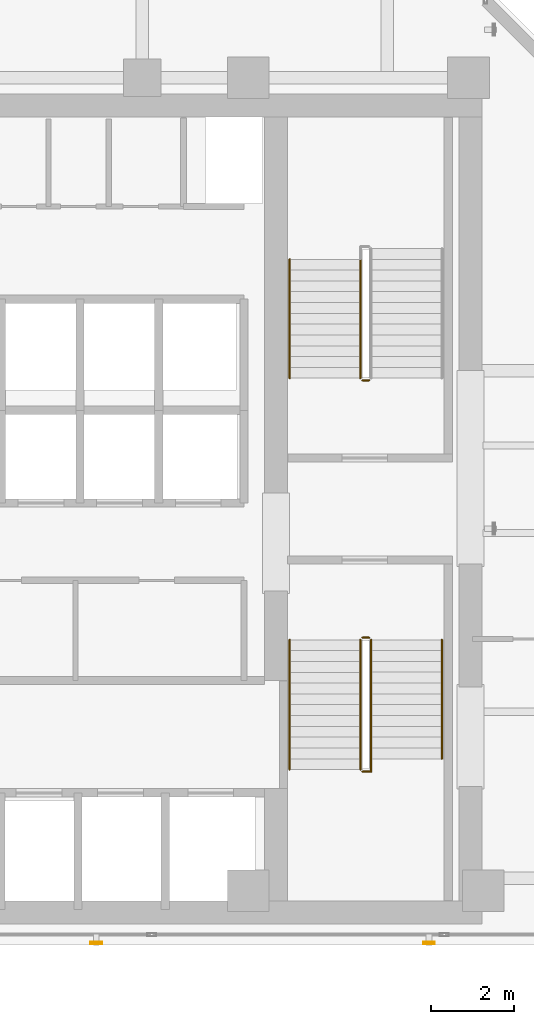
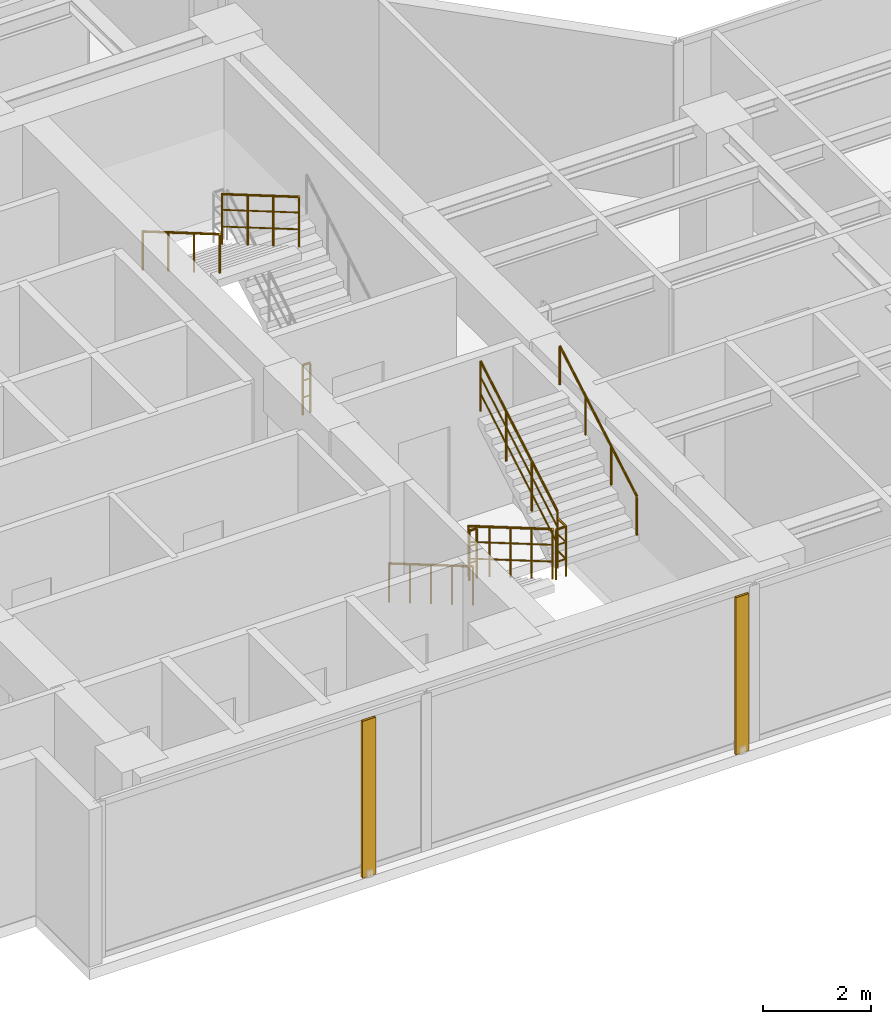
# One storey, part 21 of 25: 9 railings, 2 shading devices.
"""IFC4 building model written with IfcOpenShell, lengths in metres."""

from ifc_helpers import new_model, si_unit, direction, frame, origin, origin_2d, place, context, subcontext, project, spatial, hollow_rectangle, circle, extrude, material, material_profile, profile_set, type_object, element, save


model = new_model("IFC4")

# Units and contexts
model_context = context("Model", 3, precision=1e-05, world=origin(), true_north=direction((0.0, 1.0)))
body_context = subcontext(model_context, "Body", "Model", "MODEL_VIEW")
ifc_project = project(units=[si_unit("LENGTHUNIT", "METRE"), si_unit("AREAUNIT", "SQUARE_METRE"), si_unit("VOLUMEUNIT", "CUBIC_METRE"), si_unit("PLANEANGLEUNIT", "RADIAN"), si_unit("MASSUNIT", "GRAM", prefix="KILO")], contexts=[model_context])

# Site, building, storey
site_placement = place(None, origin())
site = spatial("IfcSite", under=ifc_project, at=site_placement, CompositionType="ELEMENT")
building_placement = place(site_placement, origin())
building = spatial("IfcBuilding", under=site, at=building_placement, Name="Kolvaren Waterfront Exchange", CompositionType="ELEMENT")
storey_placement = place(building_placement, frame((0.0, 0.0, 204.5)))
storey = spatial("IfcBuildingStorey", under=building, at=storey_placement, Name="L52", CompositionType="ELEMENT", Elevation=204.5)

# Shading devices
ifc_material_1 = material(Name="Anodised bronze aluminium 6063-T6", Category="aluminium")
ifc_material_profile = material_profile(ifc_material_1, hollow_rectangle(XDim=0.054931640625, YDim=0.280029296875, WallThickness=0.00439453125, at=origin_2d()), Name="BRZ-FIN-280x55x4.5")
ifc_profile_set = profile_set([ifc_material_profile], Name="Anodised bronze aluminium 6063-T6")
shading_device_type = type_object("IfcShadingDeviceType", Name="ARC-FIN-280", PredefinedType="USERDEFINED", material=ifc_profile_set)
for number, where, z_axis, x_axis, name in (
    (1, (11.800048828125, 3.639892578125, 0.0), (0.0, 0.0, 1.0), (0.0, -1.0, 0.0), "L52 anodised bronze solar shading fin FIN-L52-S1"),
    (2, (19.800048828125, 3.639892578125, 0.0), (0.0, 0.0, 1.0), (0.0, -1.0, 0.0), "L52 anodised bronze solar shading fin FIN-L52-S2"),
):
    element("IfcShadingDevice", number, at=place(storey_placement, frame(where, z_axis=z_axis, x_axis=x_axis)), inside=storey, type_object=shading_device_type, Name=name, ObjectType="SOLAR FIN", PredefinedType="USERDEFINED", context=body_context, shape_type="SweptSolid", body=[
        extrude(hollow_rectangle(XDim=0.054931640625, YDim=0.280029296875, WallThickness=0.00439453125, at=origin_2d()), origin(), (0.0, 0.0, 1.0), 3.56005859375),
    ])

# Railings
ifc_material_2 = material(Name="Stainless steel 316", Category="steel")
railing_type_1 = type_object("IfcRailingType", Name="ARC-GUARD-STAIR", PredefinedType="GUARDRAIL", material=ifc_material_2)
railing_1_placement = place(storey_placement, frame((18.14990234375, 10.929931640625, 0.152099609375)))
element("IfcRailing", 3, at=railing_1_placement, inside=storey, type_object=railing_type_1, Name="L52 ST1 stair guard 1", PredefinedType="GUARDRAIL", context=body_context, shape_type="SweptSolid", body=[
    extrude(circle(Radius=0.02392578125, at=origin_2d()), frame((0.0, 0.0, 1.1259765625), z_axis=(0.0, -0.86329090724, 0.504706656858), x_axis=(1.0, 0.0, 0.0)), (0.0, 0.0, 1.0), 3.614013671875),
    extrude(circle(Radius=0.01611328125, at=origin_2d()), frame((0.0, 0.0, 0.390869140625), z_axis=(0.0, -0.86329090724, 0.504706656858), x_axis=(1.0, 0.0, 0.0)), (0.0, 0.0, 1.0), 3.614013671875),
    extrude(circle(Radius=0.01611328125, at=origin_2d()), frame((0.0, 0.0, 0.7705078125), z_axis=(0.0, -0.86329090724, 0.504706656858), x_axis=(1.0, 0.0, 0.0)), (0.0, 0.0, 1.0), 3.614013671875),
    extrude(circle(Radius=0.02099609375, at=origin_2d()), origin(), (0.0, 0.0, 1.0), 1.101806640625),
    extrude(circle(Radius=0.02099609375, at=origin_2d()), frame((0.0, -0.780029296875, 0.4560546875)), (0.0, 0.0, 1.0), 1.101806640625),
    extrude(circle(Radius=0.02099609375, at=origin_2d()), frame((0.0, -1.56005859375, 0.912109375)), (0.0, 0.0, 1.0), 1.101806640625),
    extrude(circle(Radius=0.02099609375, at=origin_2d()), frame((0.0, -2.33984375, 1.367919921875)), (0.0, 0.0, 1.0), 1.101806640625),
    extrude(circle(Radius=0.02099609375, at=origin_2d()), frame((0.0, -3.119873046875, 1.823974609375)), (0.0, 0.0, 1.0), 1.101806640625),
])
railing_2_placement = place(storey_placement, frame((18.199951171875, 7.760009765625, 1.97607421875)))
element("IfcRailing", 4, at=railing_2_placement, inside=storey, type_object=railing_type_1, Name="L52 ST1 stair guard 2", PredefinedType="GUARDRAIL", context=body_context, shape_type="SweptSolid", body=[
    extrude(circle(Radius=0.02392578125, at=origin_2d()), frame((0.0, 0.0, 1.1259765625), z_axis=(1.0, 0.0, 0.0), x_axis=(0.0, 1.0, 0.0)), (0.0, 0.0, 1.0), 0.2099609375),
    extrude(circle(Radius=0.01611328125, at=origin_2d()), frame((0.0, 0.0, 0.390869140625), z_axis=(1.0, 0.0, 0.0), x_axis=(0.0, 1.0, 0.0)), (0.0, 0.0, 1.0), 0.2099609375),
    extrude(circle(Radius=0.01611328125, at=origin_2d()), frame((0.0, 0.0, 0.7705078125), z_axis=(1.0, 0.0, 0.0), x_axis=(0.0, 1.0, 0.0)), (0.0, 0.0, 1.0), 0.2099609375),
    extrude(circle(Radius=0.02392578125, at=origin_2d()), frame((0.2099609375, 0.0, 1.1259765625), z_axis=(0.0, 1.0, 0.0), x_axis=(-1.0, 0.0, 0.0)), (0.0, 0.0, 1.0), 0.31005859375),
    extrude(circle(Radius=0.01611328125, at=origin_2d()), frame((0.2099609375, 0.0, 0.390869140625), z_axis=(0.0, 1.0, 0.0), x_axis=(-1.0, 0.0, 0.0)), (0.0, 0.0, 1.0), 0.31005859375),
    extrude(circle(Radius=0.01611328125, at=origin_2d()), frame((0.2099609375, 0.0, 0.7705078125), z_axis=(0.0, 1.0, 0.0), x_axis=(-1.0, 0.0, 0.0)), (0.0, 0.0, 1.0), 0.31005859375),
    extrude(circle(Radius=0.02099609375, at=origin_2d()), origin(), (0.0, 0.0, 1.0), 1.101806640625),
    extrude(circle(Radius=0.02099609375, at=origin_2d()), frame((0.2099609375, 0.0, 0.0)), (0.0, 0.0, 1.0), 1.101806640625),
    extrude(circle(Radius=0.02099609375, at=origin_2d()), frame((0.2099609375, 0.31005859375, 0.0)), (0.0, 0.0, 1.0), 1.101806640625),
])
railing_3_placement = place(storey_placement, frame((18.409912109375, 8.070068359375, 2.1279296875)))
element("IfcRailing", 5, at=railing_3_placement, inside=storey, type_object=railing_type_1, Name="L52 ST1 stair guard 3", PredefinedType="GUARDRAIL", context=body_context, shape_type="SweptSolid", body=[
    extrude(circle(Radius=0.02392578125, at=origin_2d()), frame((0.0, 0.0, 1.1259765625), z_axis=(0.0, 0.863270611444, 0.50474137082), x_axis=(-1.0, 0.0, 0.0)), (0.0, 0.0, 1.0), 3.312744140625),
    extrude(circle(Radius=0.01611328125, at=origin_2d()), frame((0.0, 0.0, 0.390869140625), z_axis=(0.0, 0.863270611444, 0.50474137082), x_axis=(-1.0, 0.0, 0.0)), (0.0, 0.0, 1.0), 3.312744140625),
    extrude(circle(Radius=0.01611328125, at=origin_2d()), frame((0.0, 0.0, 0.7705078125), z_axis=(0.0, 0.863270611444, 0.50474137082), x_axis=(-1.0, 0.0, 0.0)), (0.0, 0.0, 1.0), 3.312744140625),
    extrude(circle(Radius=0.02099609375, at=origin_2d()), origin(), (0.0, 0.0, 1.0), 1.101806640625),
    extrude(circle(Radius=0.02099609375, at=origin_2d()), frame((0.0, 0.953369140625, 0.557373046875)), (0.0, 0.0, 1.0), 1.101806640625),
    extrude(circle(Radius=0.02099609375, at=origin_2d()), frame((0.0, 1.906494140625, 1.11474609375)), (0.0, 0.0, 1.0), 1.101806640625),
    extrude(circle(Radius=0.02099609375, at=origin_2d()), frame((0.0, 2.85986328125, 1.672119140625)), (0.0, 0.0, 1.0), 1.101806640625),
])
railing_4_placement = place(storey_placement, frame((18.199951171875, 10.97998046875, 0.0)))
element("IfcRailing", 6, at=railing_4_placement, inside=storey, type_object=railing_type_1, Name="L52 ST1 stair guard 4", PredefinedType="GUARDRAIL", context=body_context, shape_type="SweptSolid", body=[
    extrude(circle(Radius=0.02392578125, at=origin_2d()), frame((0.0, 0.0, 1.1259765625), z_axis=(1.0, 0.0, 0.0), x_axis=(0.0, 1.0, 0.0)), (0.0, 0.0, 1.0), 0.16015625),
    extrude(circle(Radius=0.01611328125, at=origin_2d()), frame((0.0, 0.0, 0.390869140625), z_axis=(1.0, 0.0, 0.0), x_axis=(0.0, 1.0, 0.0)), (0.0, 0.0, 1.0), 0.16015625),
    extrude(circle(Radius=0.01611328125, at=origin_2d()), frame((0.0, 0.0, 0.7705078125), z_axis=(1.0, 0.0, 0.0), x_axis=(0.0, 1.0, 0.0)), (0.0, 0.0, 1.0), 0.16015625),
    extrude(circle(Radius=0.02099609375, at=origin_2d()), origin(), (0.0, 0.0, 1.0), 1.101806640625),
    extrude(circle(Radius=0.02099609375, at=origin_2d()), frame((0.16015625, 0.0, 0.0)), (0.0, 0.0, 1.0), 1.101806640625),
])
railing_5_placement = place(storey_placement, frame((18.14990234375, 20.080078125, 2.1279296875)))
element("IfcRailing", 7, at=railing_5_placement, inside=storey, type_object=railing_type_1, Name="L52 ST2 stair guard 3", PredefinedType="GUARDRAIL", context=body_context, shape_type="SweptSolid", body=[
    extrude(circle(Radius=0.02392578125, at=origin_2d()), frame((0.0, 0.0, 1.1259765625), z_axis=(0.0, -0.863289384635, 0.504709261235), x_axis=(1.0, 0.0, 0.0)), (0.0, 0.0, 1.0), 3.31298828125),
    extrude(circle(Radius=0.01611328125, at=origin_2d()), frame((0.0, 0.0, 0.390869140625), z_axis=(0.0, -0.863289384635, 0.504709261235), x_axis=(1.0, 0.0, 0.0)), (0.0, 0.0, 1.0), 3.31298828125),
    extrude(circle(Radius=0.01611328125, at=origin_2d()), frame((0.0, 0.0, 0.7705078125), z_axis=(0.0, -0.863289384635, 0.504709261235), x_axis=(1.0, 0.0, 0.0)), (0.0, 0.0, 1.0), 3.31298828125),
    extrude(circle(Radius=0.02099609375, at=origin_2d()), origin(), (0.0, 0.0, 1.0), 1.101806640625),
    extrude(circle(Radius=0.02099609375, at=origin_2d()), frame((0.0, -0.953369140625, 0.557373046875)), (0.0, 0.0, 1.0), 1.101806640625),
    extrude(circle(Radius=0.02099609375, at=origin_2d()), frame((0.0, -1.90673828125, 1.11474609375)), (0.0, 0.0, 1.0), 1.101806640625),
    extrude(circle(Radius=0.02099609375, at=origin_2d()), frame((0.0, -2.860107421875, 1.672119140625)), (0.0, 0.0, 1.0), 1.101806640625),
])
railing_6_placement = place(storey_placement, frame((18.360107421875, 17.169921875, 0.0)))
element("IfcRailing", 8, at=railing_6_placement, inside=storey, type_object=railing_type_1, Name="L52 ST2 stair guard 4", PredefinedType="GUARDRAIL", context=body_context, shape_type="SweptSolid", body=[
    extrude(circle(Radius=0.02392578125, at=origin_2d()), frame((0.0, 0.0, 1.1259765625), z_axis=(-1.0, 0.0, 0.0), x_axis=(0.0, -1.0, 0.0)), (0.0, 0.0, 1.0), 0.16015625),
    extrude(circle(Radius=0.01611328125, at=origin_2d()), frame((0.0, 0.0, 0.390869140625), z_axis=(-1.0, 0.0, 0.0), x_axis=(0.0, -1.0, 0.0)), (0.0, 0.0, 1.0), 0.16015625),
    extrude(circle(Radius=0.01611328125, at=origin_2d()), frame((0.0, 0.0, 0.7705078125), z_axis=(-1.0, 0.0, 0.0), x_axis=(0.0, -1.0, 0.0)), (0.0, 0.0, 1.0), 0.16015625),
    extrude(circle(Radius=0.02099609375, at=origin_2d()), origin(), (0.0, 0.0, 1.0), 1.101806640625),
    extrude(circle(Radius=0.02099609375, at=origin_2d()), frame((-0.16015625, 0.0, 0.0)), (0.0, 0.0, 1.0), 1.101806640625),
])
railing_type_2 = type_object("IfcRailingType", Name="ARC-HANDRAIL-900", PredefinedType="HANDRAIL", material=ifc_material_2)
railing_7_placement = place(storey_placement, frame((16.449951171875, 10.929931640625, 0.152099609375)))
element("IfcRailing", 9, at=railing_7_placement, inside=storey, type_object=railing_type_2, Name="L52 ST1 stair handrail 1", PredefinedType="HANDRAIL", context=body_context, shape_type="SweptSolid", body=[
    extrude(circle(Radius=0.02392578125, at=origin_2d()), frame((0.0, 0.0, 0.8759765625), z_axis=(0.0, -0.86329090724, 0.504706656858), x_axis=(1.0, 0.0, 0.0)), (0.0, 0.0, 1.0), 3.614013671875),
    extrude(circle(Radius=0.02099609375, at=origin_2d()), origin(), (0.0, 0.0, 1.0), 0.851806640625),
    extrude(circle(Radius=0.02099609375, at=origin_2d()), frame((0.0, -0.780029296875, 0.4560546875)), (0.0, 0.0, 1.0), 0.851806640625),
    extrude(circle(Radius=0.02099609375, at=origin_2d()), frame((0.0, -1.56005859375, 0.912109375)), (0.0, 0.0, 1.0), 0.851806640625),
    extrude(circle(Radius=0.02099609375, at=origin_2d()), frame((0.0, -2.33984375, 1.367919921875)), (0.0, 0.0, 1.0), 0.851806640625),
    extrude(circle(Radius=0.02099609375, at=origin_2d()), frame((0.0, -3.119873046875, 1.823974609375)), (0.0, 0.0, 1.0), 0.851806640625),
])
railing_8_placement = place(storey_placement, frame((20.110107421875, 8.070068359375, 2.1279296875)))
element("IfcRailing", 10, at=railing_8_placement, inside=storey, type_object=railing_type_2, Name="L52 ST1 stair handrail 2", PredefinedType="HANDRAIL", context=body_context, shape_type="SweptSolid", body=[
    extrude(circle(Radius=0.02392578125, at=origin_2d()), frame((0.0, 0.0, 0.8759765625), z_axis=(0.0, 0.863270611444, 0.50474137082), x_axis=(-1.0, 0.0, 0.0)), (0.0, 0.0, 1.0), 3.312744140625),
    extrude(circle(Radius=0.02099609375, at=origin_2d()), origin(), (0.0, 0.0, 1.0), 0.851806640625),
    extrude(circle(Radius=0.02099609375, at=origin_2d()), frame((0.0, 0.953369140625, 0.557373046875)), (0.0, 0.0, 1.0), 0.851806640625),
    extrude(circle(Radius=0.02099609375, at=origin_2d()), frame((0.0, 1.906494140625, 1.11474609375)), (0.0, 0.0, 1.0), 0.851806640625),
    extrude(circle(Radius=0.02099609375, at=origin_2d()), frame((0.0, 2.85986328125, 1.672119140625)), (0.0, 0.0, 1.0), 0.851806640625),
])
railing_9_placement = place(storey_placement, frame((16.449951171875, 20.080078125, 2.1279296875)))
element("IfcRailing", 11, at=railing_9_placement, inside=storey, type_object=railing_type_2, Name="L52 ST2 stair handrail 2", PredefinedType="HANDRAIL", context=body_context, shape_type="SweptSolid", body=[
    extrude(circle(Radius=0.02392578125, at=origin_2d()), frame((0.0, 0.0, 0.8759765625), z_axis=(0.0, -0.863289384635, 0.504709261235), x_axis=(1.0, 0.0, 0.0)), (0.0, 0.0, 1.0), 3.31298828125),
    extrude(circle(Radius=0.02099609375, at=origin_2d()), origin(), (0.0, 0.0, 1.0), 0.851806640625),
    extrude(circle(Radius=0.02099609375, at=origin_2d()), frame((0.0, -0.953369140625, 0.557373046875)), (0.0, 0.0, 1.0), 0.851806640625),
    extrude(circle(Radius=0.02099609375, at=origin_2d()), frame((0.0, -1.90673828125, 1.11474609375)), (0.0, 0.0, 1.0), 0.851806640625),
    extrude(circle(Radius=0.02099609375, at=origin_2d()), frame((0.0, -2.860107421875, 1.672119140625)), (0.0, 0.0, 1.0), 0.851806640625),
])

save(model, "model.ifc")
